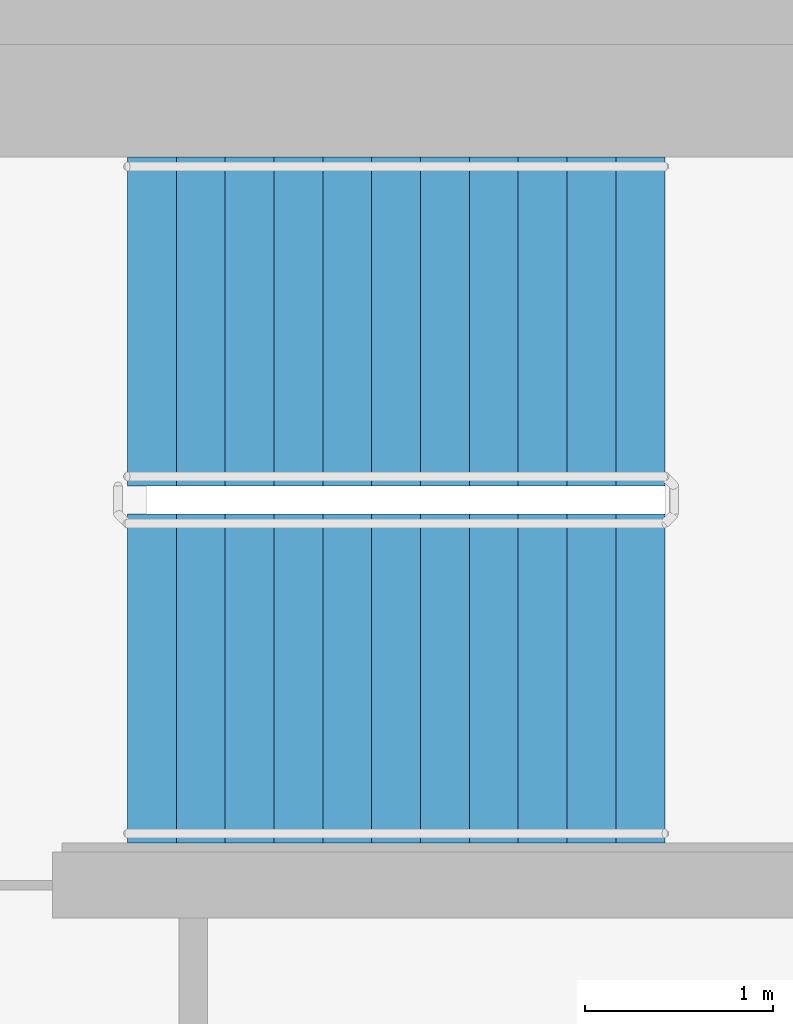
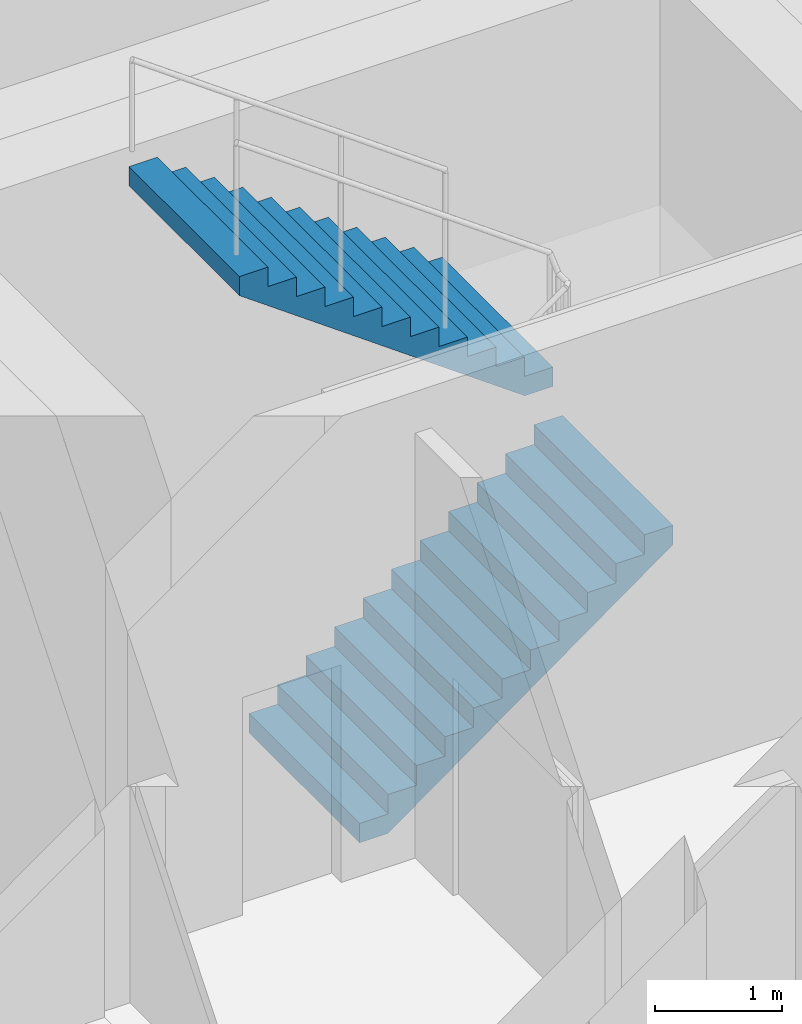
# One storey, part 9 of 12: 2 stair flights, 1 element without a shape of its own.
"""IFC4 building model written with IfcOpenShell, lengths in metres."""

from ifc_helpers import new_model, si_unit, direction, frame, origin, place, context, subcontext, project, spatial, faceted_brep, material, type_object, element, aggregate, save


model = new_model("IFC4")

# Units and contexts
model_context = context("Model", 3, precision=1e-05, world=origin(), true_north=direction((0.0, 1.0)))
body_context = subcontext(model_context, "Body", "Model", "MODEL_VIEW")
ifc_project = project(units=[si_unit("LENGTHUNIT", "METRE"), si_unit("AREAUNIT", "SQUARE_METRE"), si_unit("VOLUMEUNIT", "CUBIC_METRE"), si_unit("PLANEANGLEUNIT", "RADIAN"), si_unit("MASSUNIT", "GRAM", prefix="KILO")], contexts=[model_context])

# Site, building, storey
site_placement = place(None, origin())
site = spatial("IfcSite", under=ifc_project, at=site_placement, CompositionType="ELEMENT")
building_placement = place(site_placement, origin())
building = spatial("IfcBuilding", under=site, at=building_placement, Name="Ipe Terrace Towers", CompositionType="ELEMENT")
storey_placement = place(building_placement, frame((0.0, 0.0, 255.89990234375)))
storey = spatial("IfcBuildingStorey", under=building, at=storey_placement, Name="L70", CompositionType="ELEMENT", Elevation=255.89990234375)

# Stair, stair flights
ifc_material_1 = material(Name="Concrete C30/37", Category="concrete")
stair_type = type_object("IfcStairType", Name="Protected exit stair", PredefinedType="HALF_TURN_STAIR", material=ifc_material_1)
stair_placement = place(storey_placement, origin())
stair = element("IfcStair", 1, at=stair_placement, inside=storey, type_object=stair_type, Name="L70 Exit stair T1-C1", PredefinedType="HALF_TURN_STAIR")
ifc_material_2 = material(Name="Concrete C30/37", Category="concrete")
stair_flight_type = type_object("IfcStairFlightType", Name="Exit stair flight 1750", PredefinedType="STRAIGHT", material=ifc_material_2)
stair_flight_1_placement = place(storey_placement, frame((-26.300048828125, 2.77490234375, 0.0), z_axis=(0.0, 0.0, 1.0), x_axis=(1.0, 0.0, 0.0)))
stair_flight_1 = element("IfcStairFlight", 2, at=stair_flight_1_placement, type_object=stair_flight_type, Name="T1-ST1 flight 1", NumberOfRisers=12, NumberOfTreads=11, PredefinedType="STRAIGHT", RiserHeight=0.1875, TreadLength=0.26, context=body_context, shape_type="Brep", body=[
    faceted_brep([(0.25634765625, -0.875, 0.0), (2.860107421875, -0.875, 1.877685546875), (2.860107421875, -0.875, 2.0625), (2.60009765625, -0.875, 2.0625), (2.60009765625, -0.875, 1.875), (2.340087890625, -0.875, 1.875), (2.340087890625, -0.875, 1.6875), (2.080078125, -0.875, 1.6875), (2.080078125, -0.875, 1.5), (1.820068359375, -0.875, 1.5), (1.820068359375, -0.875, 1.3125), (1.56005859375, -0.875, 1.3125), (1.56005859375, -0.875, 1.125), (1.300048828125, -0.875, 1.125), (1.300048828125, -0.875, 0.9375), (1.0400390625, -0.875, 0.9375), (1.0400390625, -0.875, 0.75), (0.780029296875, -0.875, 0.75), (0.780029296875, -0.875, 0.5625), (0.52001953125, -0.875, 0.5625), (0.52001953125, -0.875, 0.375), (0.260009765625, -0.875, 0.375), (0.260009765625, -0.875, 0.1875), (0.0, -0.875, 0.1875), (0.0, -0.875, 0.0), (0.0, 0.875, 0.0), (0.0, 0.875, 0.1875), (0.260009765625, 0.875, 0.1875), (0.260009765625, 0.875, 0.375), (0.52001953125, 0.875, 0.375), (0.52001953125, 0.875, 0.5625), (0.780029296875, 0.875, 0.5625), (0.780029296875, 0.875, 0.75), (1.0400390625, 0.875, 0.75), (1.0400390625, 0.875, 0.9375), (1.300048828125, 0.875, 0.9375), (1.300048828125, 0.875, 1.125), (1.56005859375, 0.875, 1.125), (1.56005859375, 0.875, 1.3125), (1.820068359375, 0.875, 1.3125), (1.820068359375, 0.875, 1.5), (2.080078125, 0.875, 1.5), (2.080078125, 0.875, 1.6875), (2.340087890625, 0.875, 1.6875), (2.340087890625, 0.875, 1.875), (2.60009765625, 0.875, 1.875), (2.60009765625, 0.875, 2.0625), (2.860107421875, 0.875, 2.0625), (2.860107421875, 0.875, 1.877685546875), (0.25634765625, 0.875, 0.0), (0.0, -0.300048828125, 0.1875), (0.0, -0.1201171875, 0.1875), (0.0, -0.06005859375, 0.1875), (0.0, -0.030029296875, 0.1875), (0.0, -0.010009765625, 0.1875), (0.0, 0.0, 0.1875), (0.0, 0.010009765625, 0.1875), (0.0, 0.030029296875, 0.1875), (0.0, 0.06005859375, 0.1875), (0.0, 0.1201171875, 0.1875), (0.0, 0.300048828125, 0.1875), (0.0, 0.300048828125, 0.0), (0.0, 0.1201171875, 0.0), (0.0, 0.06005859375, 0.0), (0.0, 0.030029296875, 0.0), (0.0, 0.010009765625, 0.0), (0.0, 0.0, 0.0), (0.0, -0.010009765625, 0.0), (0.0, -0.030029296875, 0.0), (0.0, -0.06005859375, 0.0), (0.0, -0.1201171875, 0.0), (0.0, -0.300048828125, 0.0), (0.260009765625, -0.300048828125, 0.1875), (0.260009765625, -0.1201171875, 0.1875), (0.260009765625, -0.06005859375, 0.1875), (0.260009765625, -0.030029296875, 0.1875), (0.260009765625, -0.010009765625, 0.1875), (0.260009765625, 0.0, 0.1875), (0.260009765625, 0.010009765625, 0.1875), (0.260009765625, 0.030029296875, 0.1875), (0.260009765625, 0.06005859375, 0.1875), (0.260009765625, 0.1201171875, 0.1875), (0.260009765625, 0.300048828125, 0.1875), (0.260009765625, -0.300048828125, 0.375), (0.260009765625, -0.1201171875, 0.375), (0.260009765625, -0.06005859375, 0.375), (0.260009765625, -0.030029296875, 0.375), (0.260009765625, -0.010009765625, 0.375), (0.260009765625, 0.0, 0.375), (0.260009765625, 0.010009765625, 0.375), (0.260009765625, 0.030029296875, 0.375), (0.260009765625, 0.06005859375, 0.375), (0.260009765625, 0.1201171875, 0.375), (0.260009765625, 0.300048828125, 0.375), (0.52001953125, -0.300048828125, 0.375), (0.52001953125, -0.1201171875, 0.375), (0.52001953125, -0.06005859375, 0.375), (0.52001953125, -0.030029296875, 0.375), (0.52001953125, -0.010009765625, 0.375), (0.52001953125, 0.0, 0.375), (0.52001953125, 0.010009765625, 0.375), (0.52001953125, 0.030029296875, 0.375), (0.52001953125, 0.06005859375, 0.375), (0.52001953125, 0.1201171875, 0.375), (0.52001953125, 0.300048828125, 0.375), (0.52001953125, -0.300048828125, 0.5625), (0.52001953125, -0.1201171875, 0.5625), (0.52001953125, -0.06005859375, 0.5625), (0.52001953125, -0.030029296875, 0.5625), (0.52001953125, -0.010009765625, 0.5625), (0.52001953125, 0.0, 0.5625), (0.52001953125, 0.010009765625, 0.5625), (0.52001953125, 0.030029296875, 0.5625), (0.52001953125, 0.06005859375, 0.5625), (0.52001953125, 0.1201171875, 0.5625), (0.52001953125, 0.300048828125, 0.5625), (0.780029296875, -0.300048828125, 0.5625), (0.780029296875, -0.1201171875, 0.5625), (0.780029296875, -0.06005859375, 0.5625), (0.780029296875, -0.030029296875, 0.5625), (0.780029296875, -0.010009765625, 0.5625), (0.780029296875, 0.0, 0.5625), (0.780029296875, 0.010009765625, 0.5625), (0.780029296875, 0.030029296875, 0.5625), (0.780029296875, 0.06005859375, 0.5625), (0.780029296875, 0.1201171875, 0.5625), (0.780029296875, 0.300048828125, 0.5625), (0.780029296875, -0.300048828125, 0.75), (0.780029296875, -0.1201171875, 0.75), (0.780029296875, -0.06005859375, 0.75), (0.780029296875, -0.030029296875, 0.75), (0.780029296875, -0.010009765625, 0.75), (0.780029296875, 0.0, 0.75), (0.780029296875, 0.010009765625, 0.75), (0.780029296875, 0.030029296875, 0.75), (0.780029296875, 0.06005859375, 0.75), (0.780029296875, 0.1201171875, 0.75), (0.780029296875, 0.300048828125, 0.75), (1.0400390625, -0.300048828125, 0.75), (1.0400390625, -0.1201171875, 0.75), (1.0400390625, -0.06005859375, 0.75), (1.0400390625, -0.030029296875, 0.75), (1.0400390625, -0.010009765625, 0.75), (1.0400390625, 0.0, 0.75), (1.0400390625, 0.010009765625, 0.75), (1.0400390625, 0.030029296875, 0.75), (1.0400390625, 0.06005859375, 0.75), (1.0400390625, 0.1201171875, 0.75), (1.0400390625, 0.300048828125, 0.75), (1.0400390625, -0.300048828125, 0.9375), (1.0400390625, -0.1201171875, 0.9375), (1.0400390625, -0.06005859375, 0.9375), (1.0400390625, -0.030029296875, 0.9375), (1.0400390625, -0.010009765625, 0.9375), (1.0400390625, 0.0, 0.9375), (1.0400390625, 0.010009765625, 0.9375), (1.0400390625, 0.030029296875, 0.9375), (1.0400390625, 0.06005859375, 0.9375), (1.0400390625, 0.1201171875, 0.9375), (1.0400390625, 0.300048828125, 0.9375), (1.300048828125, -0.300048828125, 0.9375), (1.300048828125, -0.1201171875, 0.9375), (1.300048828125, -0.06005859375, 0.9375), (1.300048828125, -0.030029296875, 0.9375), (1.300048828125, -0.010009765625, 0.9375), (1.300048828125, 0.0, 0.9375), (1.300048828125, 0.010009765625, 0.9375), (1.300048828125, 0.030029296875, 0.9375), (1.300048828125, 0.06005859375, 0.9375), (1.300048828125, 0.1201171875, 0.9375), (1.300048828125, 0.300048828125, 0.9375), (1.300048828125, -0.300048828125, 1.125), (1.300048828125, -0.1201171875, 1.125), (1.300048828125, -0.06005859375, 1.125), (1.300048828125, -0.030029296875, 1.125), (1.300048828125, -0.010009765625, 1.125), (1.300048828125, 0.0, 1.125), (1.300048828125, 0.010009765625, 1.125), (1.300048828125, 0.030029296875, 1.125), (1.300048828125, 0.06005859375, 1.125), (1.300048828125, 0.1201171875, 1.125), (1.300048828125, 0.300048828125, 1.125), (1.56005859375, -0.300048828125, 1.125), (1.56005859375, -0.1201171875, 1.125), (1.56005859375, -0.06005859375, 1.125), (1.56005859375, -0.030029296875, 1.125), (1.56005859375, -0.010009765625, 1.125), (1.56005859375, 0.0, 1.125), (1.56005859375, 0.010009765625, 1.125), (1.56005859375, 0.030029296875, 1.125), (1.56005859375, 0.06005859375, 1.125), (1.56005859375, 0.1201171875, 1.125), (1.56005859375, 0.300048828125, 1.125), (1.56005859375, -0.300048828125, 1.3125), (1.56005859375, -0.1201171875, 1.3125), (1.56005859375, -0.06005859375, 1.3125), (1.56005859375, -0.030029296875, 1.3125), (1.56005859375, -0.010009765625, 1.3125), (1.56005859375, 0.0, 1.3125), (1.56005859375, 0.010009765625, 1.3125), (1.56005859375, 0.030029296875, 1.3125), (1.56005859375, 0.06005859375, 1.3125), (1.56005859375, 0.1201171875, 1.3125), (1.56005859375, 0.300048828125, 1.3125), (1.820068359375, -0.300048828125, 1.3125), (1.820068359375, -0.1201171875, 1.3125), (1.820068359375, -0.06005859375, 1.3125), (1.820068359375, -0.030029296875, 1.3125), (1.820068359375, -0.010009765625, 1.3125), (1.820068359375, 0.0, 1.3125), (1.820068359375, 0.010009765625, 1.3125), (1.820068359375, 0.030029296875, 1.3125), (1.820068359375, 0.06005859375, 1.3125), (1.820068359375, 0.1201171875, 1.3125), (1.820068359375, 0.300048828125, 1.3125), (1.820068359375, -0.300048828125, 1.5), (1.820068359375, -0.1201171875, 1.5), (1.820068359375, -0.06005859375, 1.5), (1.820068359375, -0.030029296875, 1.5), (1.820068359375, -0.010009765625, 1.5), (1.820068359375, 0.0, 1.5), (1.820068359375, 0.010009765625, 1.5), (1.820068359375, 0.030029296875, 1.5), (1.820068359375, 0.06005859375, 1.5), (1.820068359375, 0.1201171875, 1.5), (1.820068359375, 0.300048828125, 1.5), (2.080078125, -0.300048828125, 1.5), (2.080078125, -0.1201171875, 1.5), (2.080078125, -0.06005859375, 1.5), (2.080078125, -0.030029296875, 1.5), (2.080078125, -0.010009765625, 1.5), (2.080078125, 0.0, 1.5), (2.080078125, 0.010009765625, 1.5), (2.080078125, 0.030029296875, 1.5), (2.080078125, 0.06005859375, 1.5), (2.080078125, 0.1201171875, 1.5), (2.080078125, 0.300048828125, 1.5), (2.080078125, -0.300048828125, 1.6875), (2.080078125, -0.1201171875, 1.6875), (2.080078125, -0.06005859375, 1.6875), (2.080078125, -0.030029296875, 1.6875), (2.080078125, -0.010009765625, 1.6875), (2.080078125, 0.0, 1.6875), (2.080078125, 0.010009765625, 1.6875), (2.080078125, 0.030029296875, 1.6875), (2.080078125, 0.06005859375, 1.6875), (2.080078125, 0.1201171875, 1.6875), (2.080078125, 0.300048828125, 1.6875), (2.340087890625, -0.300048828125, 1.6875), (2.340087890625, -0.1201171875, 1.6875), (2.340087890625, -0.06005859375, 1.6875), (2.340087890625, -0.030029296875, 1.6875), (2.340087890625, -0.010009765625, 1.6875), (2.340087890625, 0.0, 1.6875), (2.340087890625, 0.010009765625, 1.6875), (2.340087890625, 0.030029296875, 1.6875), (2.340087890625, 0.06005859375, 1.6875), (2.340087890625, 0.1201171875, 1.6875), (2.340087890625, 0.300048828125, 1.6875), (2.340087890625, -0.300048828125, 1.875), (2.340087890625, -0.1201171875, 1.875), (2.340087890625, -0.06005859375, 1.875), (2.340087890625, -0.030029296875, 1.875), (2.340087890625, -0.010009765625, 1.875), (2.340087890625, 0.0, 1.875), (2.340087890625, 0.010009765625, 1.875), (2.340087890625, 0.030029296875, 1.875), (2.340087890625, 0.06005859375, 1.875), (2.340087890625, 0.1201171875, 1.875), (2.340087890625, 0.300048828125, 1.875), (2.60009765625, -0.300048828125, 1.875), (2.60009765625, -0.1201171875, 1.875), (2.60009765625, -0.06005859375, 1.875), (2.60009765625, -0.030029296875, 1.875), (2.60009765625, -0.010009765625, 1.875), (2.60009765625, 0.0, 1.875), (2.60009765625, 0.010009765625, 1.875), (2.60009765625, 0.030029296875, 1.875), (2.60009765625, 0.06005859375, 1.875), (2.60009765625, 0.1201171875, 1.875), (2.60009765625, 0.300048828125, 1.875), (2.60009765625, -0.300048828125, 2.0625), (2.60009765625, -0.1201171875, 2.0625), (2.60009765625, -0.06005859375, 2.0625), (2.60009765625, -0.030029296875, 2.0625), (2.60009765625, -0.010009765625, 2.0625), (2.60009765625, 0.0, 2.0625), (2.60009765625, 0.010009765625, 2.0625), (2.60009765625, 0.030029296875, 2.0625), (2.60009765625, 0.06005859375, 2.0625), (2.60009765625, 0.1201171875, 2.0625), (2.60009765625, 0.300048828125, 2.0625), (2.860107421875, -0.300048828125, 2.0625), (2.860107421875, -0.1201171875, 2.0625), (2.860107421875, -0.06005859375, 2.0625), (2.860107421875, -0.030029296875, 2.0625), (2.860107421875, -0.010009765625, 2.0625), (2.860107421875, 0.0, 2.0625), (2.860107421875, 0.010009765625, 2.0625), (2.860107421875, 0.030029296875, 2.0625), (2.860107421875, 0.06005859375, 2.0625), (2.860107421875, 0.1201171875, 2.0625), (2.860107421875, 0.300048828125, 2.0625), (2.860107421875, -0.300048828125, 1.877685546875), (2.860107421875, -0.1201171875, 1.877685546875), (2.860107421875, -0.06005859375, 1.877685546875), (2.860107421875, -0.030029296875, 1.877685546875), (2.860107421875, -0.010009765625, 1.877685546875), (2.860107421875, 0.0, 1.877685546875), (2.860107421875, 0.010009765625, 1.877685546875), (2.860107421875, 0.030029296875, 1.877685546875), (2.860107421875, 0.06005859375, 1.877685546875), (2.860107421875, 0.1201171875, 1.877685546875), (2.860107421875, 0.300048828125, 1.877685546875), (0.25634765625, -0.300048828125, 0.0), (0.25634765625, -0.1201171875, 0.0), (0.25634765625, -0.06005859375, 0.0), (0.25634765625, -0.030029296875, 0.0), (0.25634765625, -0.010009765625, 0.0), (0.25634765625, 0.0, 0.0), (0.25634765625, 0.010009765625, 0.0), (0.25634765625, 0.030029296875, 0.0), (0.25634765625, 0.06005859375, 0.0), (0.25634765625, 0.1201171875, 0.0), (0.25634765625, 0.300048828125, 0.0)], [[[0, 1, 2, 3, 4, 5, 6, 7, 8, 9, 10, 11, 12, 13, 14, 15, 16, 17, 18, 19, 20, 21, 22, 23, 24]], [[25, 26, 27, 28, 29, 30, 31, 32, 33, 34, 35, 36, 37, 38, 39, 40, 41, 42, 43, 44, 45, 46, 47, 48, 49]], [[23, 50, 51, 52, 53, 54, 55, 56, 57, 58, 59, 60, 26, 25, 61, 62, 63, 64, 65, 66, 67, 68, 69, 70, 71, 24]], [[22, 72, 73, 74, 75, 76, 77, 78, 79, 80, 81, 82, 27, 26, 60, 59, 58, 57, 56, 55, 54, 53, 52, 51, 50, 23]], [[21, 83, 84, 85, 86, 87, 88, 89, 90, 91, 92, 93, 28, 27, 82, 81, 80, 79, 78, 77, 76, 75, 74, 73, 72, 22]], [[20, 94, 95, 96, 97, 98, 99, 100, 101, 102, 103, 104, 29, 28, 93, 92, 91, 90, 89, 88, 87, 86, 85, 84, 83, 21]], [[19, 105, 106, 107, 108, 109, 110, 111, 112, 113, 114, 115, 30, 29, 104, 103, 102, 101, 100, 99, 98, 97, 96, 95, 94, 20]], [[18, 116, 117, 118, 119, 120, 121, 122, 123, 124, 125, 126, 31, 30, 115, 114, 113, 112, 111, 110, 109, 108, 107, 106, 105, 19]], [[17, 127, 128, 129, 130, 131, 132, 133, 134, 135, 136, 137, 32, 31, 126, 125, 124, 123, 122, 121, 120, 119, 118, 117, 116, 18]], [[16, 138, 139, 140, 141, 142, 143, 144, 145, 146, 147, 148, 33, 32, 137, 136, 135, 134, 133, 132, 131, 130, 129, 128, 127, 17]], [[15, 149, 150, 151, 152, 153, 154, 155, 156, 157, 158, 159, 34, 33, 148, 147, 146, 145, 144, 143, 142, 141, 140, 139, 138, 16]], [[14, 160, 161, 162, 163, 164, 165, 166, 167, 168, 169, 170, 35, 34, 159, 158, 157, 156, 155, 154, 153, 152, 151, 150, 149, 15]], [[13, 171, 172, 173, 174, 175, 176, 177, 178, 179, 180, 181, 36, 35, 170, 169, 168, 167, 166, 165, 164, 163, 162, 161, 160, 14]], [[12, 182, 183, 184, 185, 186, 187, 188, 189, 190, 191, 192, 37, 36, 181, 180, 179, 178, 177, 176, 175, 174, 173, 172, 171, 13]], [[11, 193, 194, 195, 196, 197, 198, 199, 200, 201, 202, 203, 38, 37, 192, 191, 190, 189, 188, 187, 186, 185, 184, 183, 182, 12]], [[10, 204, 205, 206, 207, 208, 209, 210, 211, 212, 213, 214, 39, 38, 203, 202, 201, 200, 199, 198, 197, 196, 195, 194, 193, 11]], [[9, 215, 216, 217, 218, 219, 220, 221, 222, 223, 224, 225, 40, 39, 214, 213, 212, 211, 210, 209, 208, 207, 206, 205, 204, 10]], [[8, 226, 227, 228, 229, 230, 231, 232, 233, 234, 235, 236, 41, 40, 225, 224, 223, 222, 221, 220, 219, 218, 217, 216, 215, 9]], [[7, 237, 238, 239, 240, 241, 242, 243, 244, 245, 246, 247, 42, 41, 236, 235, 234, 233, 232, 231, 230, 229, 228, 227, 226, 8]], [[6, 248, 249, 250, 251, 252, 253, 254, 255, 256, 257, 258, 43, 42, 247, 246, 245, 244, 243, 242, 241, 240, 239, 238, 237, 7]], [[5, 259, 260, 261, 262, 263, 264, 265, 266, 267, 268, 269, 44, 43, 258, 257, 256, 255, 254, 253, 252, 251, 250, 249, 248, 6]], [[4, 270, 271, 272, 273, 274, 275, 276, 277, 278, 279, 280, 45, 44, 269, 268, 267, 266, 265, 264, 263, 262, 261, 260, 259, 5]], [[3, 281, 282, 283, 284, 285, 286, 287, 288, 289, 290, 291, 46, 45, 280, 279, 278, 277, 276, 275, 274, 273, 272, 271, 270, 4]], [[2, 292, 293, 294, 295, 296, 297, 298, 299, 300, 301, 302, 47, 46, 291, 290, 289, 288, 287, 286, 285, 284, 283, 282, 281, 3]], [[1, 303, 304, 305, 306, 307, 308, 309, 310, 311, 312, 313, 48, 47, 302, 301, 300, 299, 298, 297, 296, 295, 294, 293, 292, 2]], [[0, 314, 315, 316, 317, 318, 319, 320, 321, 322, 323, 324, 49, 48, 313, 312, 311, 310, 309, 308, 307, 306, 305, 304, 303, 1]], [[24, 71, 70, 69, 68, 67, 66, 65, 64, 63, 62, 61, 25, 49, 324, 323, 322, 321, 320, 319, 318, 317, 316, 315, 314, 0]]]),
])
stair_flight_2_placement = place(storey_placement, frame((-23.43994140625, 4.675048828125, 2.25), z_axis=(0.0, 0.0, 1.0), x_axis=(-1.0, 0.0, 0.0)))
stair_flight_2 = element("IfcStairFlight", 3, at=stair_flight_2_placement, type_object=stair_flight_type, Name="T1-ST1 flight 2", NumberOfRisers=12, NumberOfTreads=11, PredefinedType="STRAIGHT", RiserHeight=0.1875, TreadLength=0.26, context=body_context, shape_type="Brep", body=[
    faceted_brep([(0.25634765625, -0.875, 0.0), (2.860107421875, -0.875, 1.877685546875), (2.860107421875, -0.875, 2.0625), (2.60009765625, -0.875, 2.0625), (2.60009765625, -0.875, 1.875), (2.340087890625, -0.875, 1.875), (2.340087890625, -0.875, 1.6875), (2.080078125, -0.875, 1.6875), (2.080078125, -0.875, 1.5), (1.820068359375, -0.875, 1.5), (1.820068359375, -0.875, 1.3125), (1.56005859375, -0.875, 1.3125), (1.56005859375, -0.875, 1.125), (1.300048828125, -0.875, 1.125), (1.300048828125, -0.875, 0.9375), (1.0400390625, -0.875, 0.9375), (1.0400390625, -0.875, 0.75), (0.780029296875, -0.875, 0.75), (0.780029296875, -0.875, 0.5625), (0.52001953125, -0.875, 0.5625), (0.52001953125, -0.875, 0.375), (0.260009765625, -0.875, 0.375), (0.260009765625, -0.875, 0.1875), (0.0, -0.875, 0.1875), (0.0, -0.875, 0.0), (0.0, 0.875, 0.0), (0.0, 0.875, 0.1875), (0.260009765625, 0.875, 0.1875), (0.260009765625, 0.875, 0.375), (0.52001953125, 0.875, 0.375), (0.52001953125, 0.875, 0.5625), (0.780029296875, 0.875, 0.5625), (0.780029296875, 0.875, 0.75), (1.0400390625, 0.875, 0.75), (1.0400390625, 0.875, 0.9375), (1.300048828125, 0.875, 0.9375), (1.300048828125, 0.875, 1.125), (1.56005859375, 0.875, 1.125), (1.56005859375, 0.875, 1.3125), (1.820068359375, 0.875, 1.3125), (1.820068359375, 0.875, 1.5), (2.080078125, 0.875, 1.5), (2.080078125, 0.875, 1.6875), (2.340087890625, 0.875, 1.6875), (2.340087890625, 0.875, 1.875), (2.60009765625, 0.875, 1.875), (2.60009765625, 0.875, 2.0625), (2.860107421875, 0.875, 2.0625), (2.860107421875, 0.875, 1.877685546875), (0.25634765625, 0.875, 0.0), (0.0, -0.300048828125, 0.1875), (0.0, -0.1201171875, 0.1875), (0.0, -0.06005859375, 0.1875), (0.0, -0.030029296875, 0.1875), (0.0, -0.010009765625, 0.1875), (0.0, 0.0, 0.1875), (0.0, 0.010009765625, 0.1875), (0.0, 0.030029296875, 0.1875), (0.0, 0.06005859375, 0.1875), (0.0, 0.1201171875, 0.1875), (0.0, 0.300048828125, 0.1875), (0.0, 0.300048828125, 0.0), (0.0, 0.1201171875, 0.0), (0.0, 0.06005859375, 0.0), (0.0, 0.030029296875, 0.0), (0.0, 0.010009765625, 0.0), (0.0, 0.0, 0.0), (0.0, -0.010009765625, 0.0), (0.0, -0.030029296875, 0.0), (0.0, -0.06005859375, 0.0), (0.0, -0.1201171875, 0.0), (0.0, -0.300048828125, 0.0), (0.260009765625, -0.300048828125, 0.1875), (0.260009765625, -0.1201171875, 0.1875), (0.260009765625, -0.06005859375, 0.1875), (0.260009765625, -0.030029296875, 0.1875), (0.260009765625, -0.010009765625, 0.1875), (0.260009765625, 0.0, 0.1875), (0.260009765625, 0.010009765625, 0.1875), (0.260009765625, 0.030029296875, 0.1875), (0.260009765625, 0.06005859375, 0.1875), (0.260009765625, 0.1201171875, 0.1875), (0.260009765625, 0.300048828125, 0.1875), (0.260009765625, -0.300048828125, 0.375), (0.260009765625, -0.1201171875, 0.375), (0.260009765625, -0.06005859375, 0.375), (0.260009765625, -0.030029296875, 0.375), (0.260009765625, -0.010009765625, 0.375), (0.260009765625, 0.0, 0.375), (0.260009765625, 0.010009765625, 0.375), (0.260009765625, 0.030029296875, 0.375), (0.260009765625, 0.06005859375, 0.375), (0.260009765625, 0.1201171875, 0.375), (0.260009765625, 0.300048828125, 0.375), (0.52001953125, -0.300048828125, 0.375), (0.52001953125, -0.1201171875, 0.375), (0.52001953125, -0.06005859375, 0.375), (0.52001953125, -0.030029296875, 0.375), (0.52001953125, -0.010009765625, 0.375), (0.52001953125, 0.0, 0.375), (0.52001953125, 0.010009765625, 0.375), (0.52001953125, 0.030029296875, 0.375), (0.52001953125, 0.06005859375, 0.375), (0.52001953125, 0.1201171875, 0.375), (0.52001953125, 0.300048828125, 0.375), (0.52001953125, -0.300048828125, 0.5625), (0.52001953125, -0.1201171875, 0.5625), (0.52001953125, -0.06005859375, 0.5625), (0.52001953125, -0.030029296875, 0.5625), (0.52001953125, -0.010009765625, 0.5625), (0.52001953125, 0.0, 0.5625), (0.52001953125, 0.010009765625, 0.5625), (0.52001953125, 0.030029296875, 0.5625), (0.52001953125, 0.06005859375, 0.5625), (0.52001953125, 0.1201171875, 0.5625), (0.52001953125, 0.300048828125, 0.5625), (0.780029296875, -0.300048828125, 0.5625), (0.780029296875, -0.1201171875, 0.5625), (0.780029296875, -0.06005859375, 0.5625), (0.780029296875, -0.030029296875, 0.5625), (0.780029296875, -0.010009765625, 0.5625), (0.780029296875, 0.0, 0.5625), (0.780029296875, 0.010009765625, 0.5625), (0.780029296875, 0.030029296875, 0.5625), (0.780029296875, 0.06005859375, 0.5625), (0.780029296875, 0.1201171875, 0.5625), (0.780029296875, 0.300048828125, 0.5625), (0.780029296875, -0.300048828125, 0.75), (0.780029296875, -0.1201171875, 0.75), (0.780029296875, -0.06005859375, 0.75), (0.780029296875, -0.030029296875, 0.75), (0.780029296875, -0.010009765625, 0.75), (0.780029296875, 0.0, 0.75), (0.780029296875, 0.010009765625, 0.75), (0.780029296875, 0.030029296875, 0.75), (0.780029296875, 0.06005859375, 0.75), (0.780029296875, 0.1201171875, 0.75), (0.780029296875, 0.300048828125, 0.75), (1.0400390625, -0.300048828125, 0.75), (1.0400390625, -0.1201171875, 0.75), (1.0400390625, -0.06005859375, 0.75), (1.0400390625, -0.030029296875, 0.75), (1.0400390625, -0.010009765625, 0.75), (1.0400390625, 0.0, 0.75), (1.0400390625, 0.010009765625, 0.75), (1.0400390625, 0.030029296875, 0.75), (1.0400390625, 0.06005859375, 0.75), (1.0400390625, 0.1201171875, 0.75), (1.0400390625, 0.300048828125, 0.75), (1.0400390625, -0.300048828125, 0.9375), (1.0400390625, -0.1201171875, 0.9375), (1.0400390625, -0.06005859375, 0.9375), (1.0400390625, -0.030029296875, 0.9375), (1.0400390625, -0.010009765625, 0.9375), (1.0400390625, 0.0, 0.9375), (1.0400390625, 0.010009765625, 0.9375), (1.0400390625, 0.030029296875, 0.9375), (1.0400390625, 0.06005859375, 0.9375), (1.0400390625, 0.1201171875, 0.9375), (1.0400390625, 0.300048828125, 0.9375), (1.300048828125, -0.300048828125, 0.9375), (1.300048828125, -0.1201171875, 0.9375), (1.300048828125, -0.06005859375, 0.9375), (1.300048828125, -0.030029296875, 0.9375), (1.300048828125, -0.010009765625, 0.9375), (1.300048828125, 0.0, 0.9375), (1.300048828125, 0.010009765625, 0.9375), (1.300048828125, 0.030029296875, 0.9375), (1.300048828125, 0.06005859375, 0.9375), (1.300048828125, 0.1201171875, 0.9375), (1.300048828125, 0.300048828125, 0.9375), (1.300048828125, -0.300048828125, 1.125), (1.300048828125, -0.1201171875, 1.125), (1.300048828125, -0.06005859375, 1.125), (1.300048828125, -0.030029296875, 1.125), (1.300048828125, -0.010009765625, 1.125), (1.300048828125, 0.0, 1.125), (1.300048828125, 0.010009765625, 1.125), (1.300048828125, 0.030029296875, 1.125), (1.300048828125, 0.06005859375, 1.125), (1.300048828125, 0.1201171875, 1.125), (1.300048828125, 0.300048828125, 1.125), (1.56005859375, -0.300048828125, 1.125), (1.56005859375, -0.1201171875, 1.125), (1.56005859375, -0.06005859375, 1.125), (1.56005859375, -0.030029296875, 1.125), (1.56005859375, -0.010009765625, 1.125), (1.56005859375, 0.0, 1.125), (1.56005859375, 0.010009765625, 1.125), (1.56005859375, 0.030029296875, 1.125), (1.56005859375, 0.06005859375, 1.125), (1.56005859375, 0.1201171875, 1.125), (1.56005859375, 0.300048828125, 1.125), (1.56005859375, -0.300048828125, 1.3125), (1.56005859375, -0.1201171875, 1.3125), (1.56005859375, -0.06005859375, 1.3125), (1.56005859375, -0.030029296875, 1.3125), (1.56005859375, -0.010009765625, 1.3125), (1.56005859375, 0.0, 1.3125), (1.56005859375, 0.010009765625, 1.3125), (1.56005859375, 0.030029296875, 1.3125), (1.56005859375, 0.06005859375, 1.3125), (1.56005859375, 0.1201171875, 1.3125), (1.56005859375, 0.300048828125, 1.3125), (1.820068359375, -0.300048828125, 1.3125), (1.820068359375, -0.1201171875, 1.3125), (1.820068359375, -0.06005859375, 1.3125), (1.820068359375, -0.030029296875, 1.3125), (1.820068359375, -0.010009765625, 1.3125), (1.820068359375, 0.0, 1.3125), (1.820068359375, 0.010009765625, 1.3125), (1.820068359375, 0.030029296875, 1.3125), (1.820068359375, 0.06005859375, 1.3125), (1.820068359375, 0.1201171875, 1.3125), (1.820068359375, 0.300048828125, 1.3125), (1.820068359375, -0.300048828125, 1.5), (1.820068359375, -0.1201171875, 1.5), (1.820068359375, -0.06005859375, 1.5), (1.820068359375, -0.030029296875, 1.5), (1.820068359375, -0.010009765625, 1.5), (1.820068359375, 0.0, 1.5), (1.820068359375, 0.010009765625, 1.5), (1.820068359375, 0.030029296875, 1.5), (1.820068359375, 0.06005859375, 1.5), (1.820068359375, 0.1201171875, 1.5), (1.820068359375, 0.300048828125, 1.5), (2.080078125, -0.300048828125, 1.5), (2.080078125, -0.1201171875, 1.5), (2.080078125, -0.06005859375, 1.5), (2.080078125, -0.030029296875, 1.5), (2.080078125, -0.010009765625, 1.5), (2.080078125, 0.0, 1.5), (2.080078125, 0.010009765625, 1.5), (2.080078125, 0.030029296875, 1.5), (2.080078125, 0.06005859375, 1.5), (2.080078125, 0.1201171875, 1.5), (2.080078125, 0.300048828125, 1.5), (2.080078125, -0.300048828125, 1.6875), (2.080078125, -0.1201171875, 1.6875), (2.080078125, -0.06005859375, 1.6875), (2.080078125, -0.030029296875, 1.6875), (2.080078125, -0.010009765625, 1.6875), (2.080078125, 0.0, 1.6875), (2.080078125, 0.010009765625, 1.6875), (2.080078125, 0.030029296875, 1.6875), (2.080078125, 0.06005859375, 1.6875), (2.080078125, 0.1201171875, 1.6875), (2.080078125, 0.300048828125, 1.6875), (2.340087890625, -0.300048828125, 1.6875), (2.340087890625, -0.1201171875, 1.6875), (2.340087890625, -0.06005859375, 1.6875), (2.340087890625, -0.030029296875, 1.6875), (2.340087890625, -0.010009765625, 1.6875), (2.340087890625, 0.0, 1.6875), (2.340087890625, 0.010009765625, 1.6875), (2.340087890625, 0.030029296875, 1.6875), (2.340087890625, 0.06005859375, 1.6875), (2.340087890625, 0.1201171875, 1.6875), (2.340087890625, 0.300048828125, 1.6875), (2.340087890625, -0.300048828125, 1.875), (2.340087890625, -0.1201171875, 1.875), (2.340087890625, -0.06005859375, 1.875), (2.340087890625, -0.030029296875, 1.875), (2.340087890625, -0.010009765625, 1.875), (2.340087890625, 0.0, 1.875), (2.340087890625, 0.010009765625, 1.875), (2.340087890625, 0.030029296875, 1.875), (2.340087890625, 0.06005859375, 1.875), (2.340087890625, 0.1201171875, 1.875), (2.340087890625, 0.300048828125, 1.875), (2.60009765625, -0.300048828125, 1.875), (2.60009765625, -0.1201171875, 1.875), (2.60009765625, -0.06005859375, 1.875), (2.60009765625, -0.030029296875, 1.875), (2.60009765625, -0.010009765625, 1.875), (2.60009765625, 0.0, 1.875), (2.60009765625, 0.010009765625, 1.875), (2.60009765625, 0.030029296875, 1.875), (2.60009765625, 0.06005859375, 1.875), (2.60009765625, 0.1201171875, 1.875), (2.60009765625, 0.300048828125, 1.875), (2.60009765625, -0.300048828125, 2.0625), (2.60009765625, -0.1201171875, 2.0625), (2.60009765625, -0.06005859375, 2.0625), (2.60009765625, -0.030029296875, 2.0625), (2.60009765625, -0.010009765625, 2.0625), (2.60009765625, 0.0, 2.0625), (2.60009765625, 0.010009765625, 2.0625), (2.60009765625, 0.030029296875, 2.0625), (2.60009765625, 0.06005859375, 2.0625), (2.60009765625, 0.1201171875, 2.0625), (2.60009765625, 0.300048828125, 2.0625), (2.860107421875, -0.300048828125, 2.0625), (2.860107421875, -0.1201171875, 2.0625), (2.860107421875, -0.06005859375, 2.0625), (2.860107421875, -0.030029296875, 2.0625), (2.860107421875, -0.010009765625, 2.0625), (2.860107421875, 0.0, 2.0625), (2.860107421875, 0.010009765625, 2.0625), (2.860107421875, 0.030029296875, 2.0625), (2.860107421875, 0.06005859375, 2.0625), (2.860107421875, 0.1201171875, 2.0625), (2.860107421875, 0.300048828125, 2.0625), (2.860107421875, -0.300048828125, 1.877685546875), (2.860107421875, -0.1201171875, 1.877685546875), (2.860107421875, -0.06005859375, 1.877685546875), (2.860107421875, -0.030029296875, 1.877685546875), (2.860107421875, -0.010009765625, 1.877685546875), (2.860107421875, 0.0, 1.877685546875), (2.860107421875, 0.010009765625, 1.877685546875), (2.860107421875, 0.030029296875, 1.877685546875), (2.860107421875, 0.06005859375, 1.877685546875), (2.860107421875, 0.1201171875, 1.877685546875), (2.860107421875, 0.300048828125, 1.877685546875), (0.25634765625, -0.300048828125, 0.0), (0.25634765625, -0.1201171875, 0.0), (0.25634765625, -0.06005859375, 0.0), (0.25634765625, -0.030029296875, 0.0), (0.25634765625, -0.010009765625, 0.0), (0.25634765625, 0.0, 0.0), (0.25634765625, 0.010009765625, 0.0), (0.25634765625, 0.030029296875, 0.0), (0.25634765625, 0.06005859375, 0.0), (0.25634765625, 0.1201171875, 0.0), (0.25634765625, 0.300048828125, 0.0)], [[[0, 1, 2, 3, 4, 5, 6, 7, 8, 9, 10, 11, 12, 13, 14, 15, 16, 17, 18, 19, 20, 21, 22, 23, 24]], [[25, 26, 27, 28, 29, 30, 31, 32, 33, 34, 35, 36, 37, 38, 39, 40, 41, 42, 43, 44, 45, 46, 47, 48, 49]], [[23, 50, 51, 52, 53, 54, 55, 56, 57, 58, 59, 60, 26, 25, 61, 62, 63, 64, 65, 66, 67, 68, 69, 70, 71, 24]], [[22, 72, 73, 74, 75, 76, 77, 78, 79, 80, 81, 82, 27, 26, 60, 59, 58, 57, 56, 55, 54, 53, 52, 51, 50, 23]], [[21, 83, 84, 85, 86, 87, 88, 89, 90, 91, 92, 93, 28, 27, 82, 81, 80, 79, 78, 77, 76, 75, 74, 73, 72, 22]], [[20, 94, 95, 96, 97, 98, 99, 100, 101, 102, 103, 104, 29, 28, 93, 92, 91, 90, 89, 88, 87, 86, 85, 84, 83, 21]], [[19, 105, 106, 107, 108, 109, 110, 111, 112, 113, 114, 115, 30, 29, 104, 103, 102, 101, 100, 99, 98, 97, 96, 95, 94, 20]], [[18, 116, 117, 118, 119, 120, 121, 122, 123, 124, 125, 126, 31, 30, 115, 114, 113, 112, 111, 110, 109, 108, 107, 106, 105, 19]], [[17, 127, 128, 129, 130, 131, 132, 133, 134, 135, 136, 137, 32, 31, 126, 125, 124, 123, 122, 121, 120, 119, 118, 117, 116, 18]], [[16, 138, 139, 140, 141, 142, 143, 144, 145, 146, 147, 148, 33, 32, 137, 136, 135, 134, 133, 132, 131, 130, 129, 128, 127, 17]], [[15, 149, 150, 151, 152, 153, 154, 155, 156, 157, 158, 159, 34, 33, 148, 147, 146, 145, 144, 143, 142, 141, 140, 139, 138, 16]], [[14, 160, 161, 162, 163, 164, 165, 166, 167, 168, 169, 170, 35, 34, 159, 158, 157, 156, 155, 154, 153, 152, 151, 150, 149, 15]], [[13, 171, 172, 173, 174, 175, 176, 177, 178, 179, 180, 181, 36, 35, 170, 169, 168, 167, 166, 165, 164, 163, 162, 161, 160, 14]], [[12, 182, 183, 184, 185, 186, 187, 188, 189, 190, 191, 192, 37, 36, 181, 180, 179, 178, 177, 176, 175, 174, 173, 172, 171, 13]], [[11, 193, 194, 195, 196, 197, 198, 199, 200, 201, 202, 203, 38, 37, 192, 191, 190, 189, 188, 187, 186, 185, 184, 183, 182, 12]], [[10, 204, 205, 206, 207, 208, 209, 210, 211, 212, 213, 214, 39, 38, 203, 202, 201, 200, 199, 198, 197, 196, 195, 194, 193, 11]], [[9, 215, 216, 217, 218, 219, 220, 221, 222, 223, 224, 225, 40, 39, 214, 213, 212, 211, 210, 209, 208, 207, 206, 205, 204, 10]], [[8, 226, 227, 228, 229, 230, 231, 232, 233, 234, 235, 236, 41, 40, 225, 224, 223, 222, 221, 220, 219, 218, 217, 216, 215, 9]], [[7, 237, 238, 239, 240, 241, 242, 243, 244, 245, 246, 247, 42, 41, 236, 235, 234, 233, 232, 231, 230, 229, 228, 227, 226, 8]], [[6, 248, 249, 250, 251, 252, 253, 254, 255, 256, 257, 258, 43, 42, 247, 246, 245, 244, 243, 242, 241, 240, 239, 238, 237, 7]], [[5, 259, 260, 261, 262, 263, 264, 265, 266, 267, 268, 269, 44, 43, 258, 257, 256, 255, 254, 253, 252, 251, 250, 249, 248, 6]], [[4, 270, 271, 272, 273, 274, 275, 276, 277, 278, 279, 280, 45, 44, 269, 268, 267, 266, 265, 264, 263, 262, 261, 260, 259, 5]], [[3, 281, 282, 283, 284, 285, 286, 287, 288, 289, 290, 291, 46, 45, 280, 279, 278, 277, 276, 275, 274, 273, 272, 271, 270, 4]], [[2, 292, 293, 294, 295, 296, 297, 298, 299, 300, 301, 302, 47, 46, 291, 290, 289, 288, 287, 286, 285, 284, 283, 282, 281, 3]], [[1, 303, 304, 305, 306, 307, 308, 309, 310, 311, 312, 313, 48, 47, 302, 301, 300, 299, 298, 297, 296, 295, 294, 293, 292, 2]], [[0, 314, 315, 316, 317, 318, 319, 320, 321, 322, 323, 324, 49, 48, 313, 312, 311, 310, 309, 308, 307, 306, 305, 304, 303, 1]], [[24, 71, 70, 69, 68, 67, 66, 65, 64, 63, 62, 61, 25, 49, 324, 323, 322, 321, 320, 319, 318, 317, 316, 315, 314, 0]]]),
])
aggregate(stair, [stair_flight_1, stair_flight_2])

save(model, "model.ifc")
